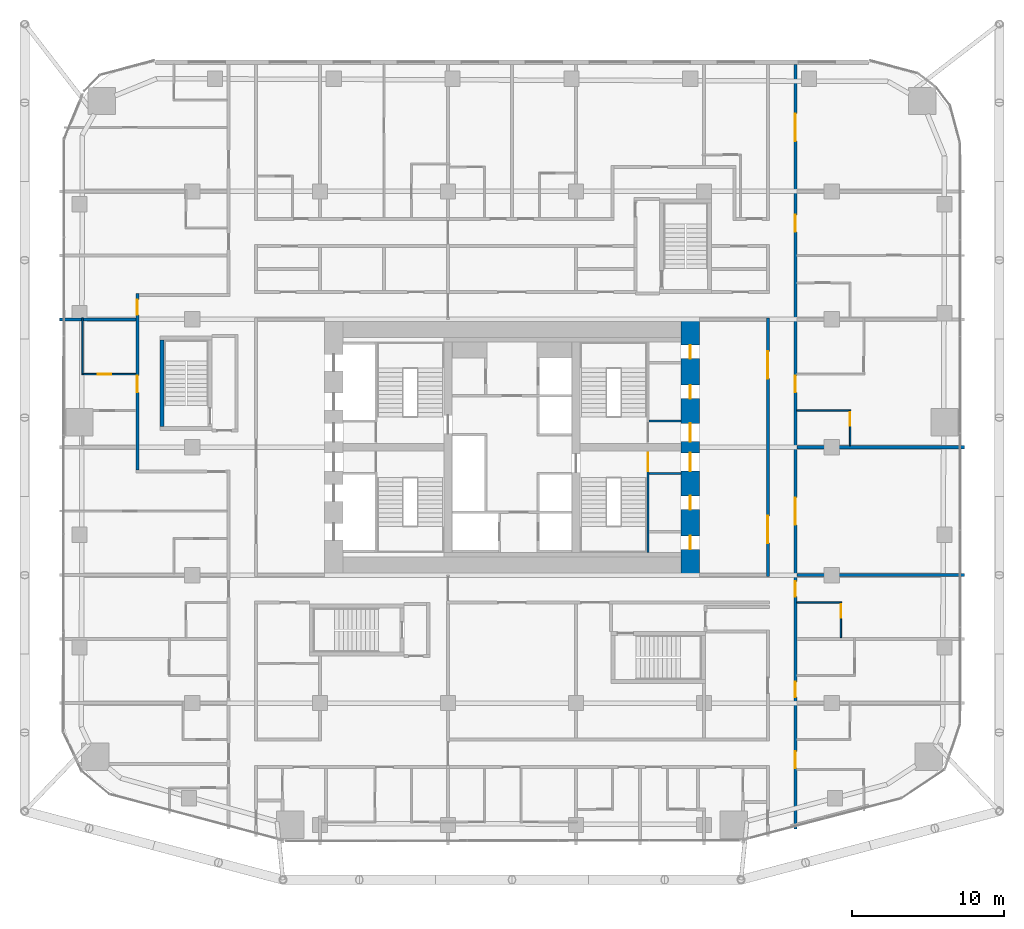
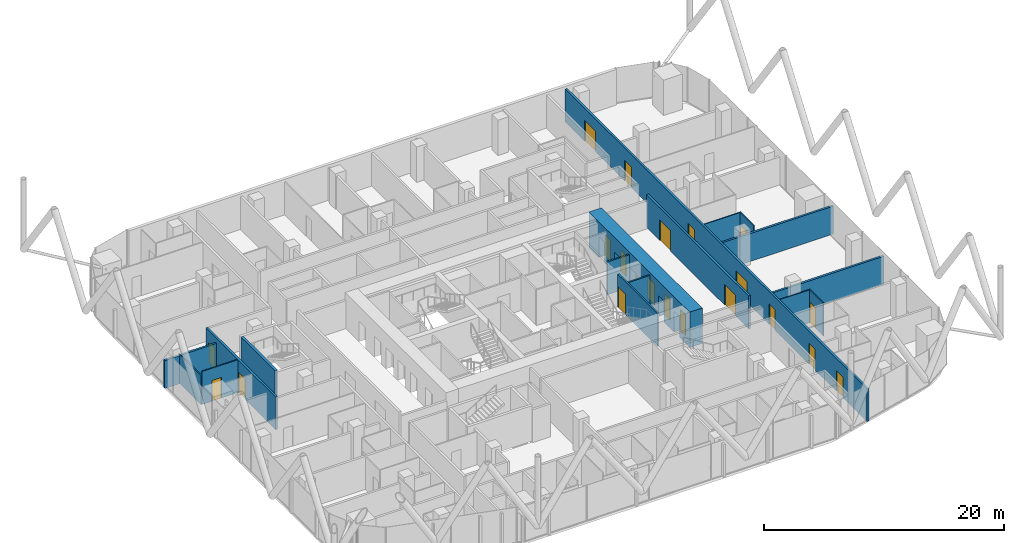
# One storey, part 28 of 34: 21 doors, 17 walls, 21 openings.
"""IFC4 building model written with IfcOpenShell, lengths in metres."""

from ifc_helpers import new_model, si_unit, direction, frame, frame_2d, origin, place, context, subcontext, project, spatial, rectangle, extrude, material, layer, layer_set, type_object, element, fill, save


model = new_model("IFC4")

# Units and contexts
model_context = context("Model", 3, precision=1e-05, world=origin(), true_north=direction((0.0, 1.0)))
body_context = subcontext(model_context, "Body", "Model", "MODEL_VIEW")
ifc_project = project(units=[si_unit("LENGTHUNIT", "METRE"), si_unit("AREAUNIT", "SQUARE_METRE"), si_unit("VOLUMEUNIT", "CUBIC_METRE"), si_unit("PLANEANGLEUNIT", "RADIAN"), si_unit("MASSUNIT", "GRAM", prefix="KILO")], contexts=[model_context])

# Site, building, storey
site_placement = place(None, origin())
site = spatial("IfcSite", under=ifc_project, at=site_placement, CompositionType="ELEMENT")
building_placement = place(site_placement, origin())
building = spatial("IfcBuilding", under=site, at=building_placement, Name="Marenta Gate Hotel Tower", CompositionType="ELEMENT")
storey_placement = place(building_placement, frame((0.0, 0.0, 76.10009765625)))
storey = spatial("IfcBuildingStorey", under=building, at=storey_placement, Name="L17", CompositionType="ELEMENT", Elevation=76.10009765625)

# Wall, openings, doors
ifc_material_1 = material(Name="Concrete blockwork", Category="masonry")
ifc_layer_1 = layer(ifc_material_1, 0.199951171875)
ifc_layer_set_1 = layer_set([ifc_layer_1], Name="Concrete blockwork")
wall_type_1 = type_object("IfcWallType", Name="Core boundary wall 200 REI 180", PredefinedType="PARTITIONING", material=ifc_layer_set_1)
wall_1_placement = place(storey_placement, frame((16.800048828125, -0.10009765625, 0.0), z_axis=(0.0, 0.0, 1.0), x_axis=(0.0, 1.0, 0.0)))
wall_1 = element("IfcWall", 1, at=wall_1_placement, inside=storey, type_object=wall_type_1, Name="L17-CP-BW-E", PredefinedType="PARTITIONING", context=body_context, shape_type="SweptSolid", body=[
    extrude(rectangle(XDim=17.0, YDim=0.199951171875, at=frame_2d((8.5, 0.0))), origin(), (0.0, 0.0, 1.0), 3.33984375),
])
opening_1_placement = place(wall_1_placement, frame((2.199951171875, 0.0, 0.0)))
opening_1 = element("IfcOpeningElement", 2, at=opening_1_placement, cuts=wall_1, Name="Opening ED-Ea-B", PredefinedType="OPENING", context=body_context, shape_type="SweptSolid", body=[
    extrude(rectangle(XDim=1.800048828125, YDim=2.10009765625, at=frame_2d((0.89990234375, 1.050048828125))), frame((0.0, 0.10009765625, 0.0), z_axis=(0.0, -1.0, 0.0), x_axis=(1.0, 0.0, 0.0)), (0.0, 0.0, 1.0), 0.199951171875),
])
opening_2_placement = place(wall_1_placement, frame((13.0, 0.0, 0.0)))
opening_2 = element("IfcOpeningElement", 3, at=opening_2_placement, cuts=wall_1, Name="Opening ED-Eb-B", PredefinedType="OPENING", context=body_context, shape_type="SweptSolid", body=[
    extrude(rectangle(XDim=1.800048828125, YDim=2.10009765625, at=frame_2d((0.89990234375, 1.050048828125))), frame((0.0, 0.10009765625, 0.0), z_axis=(0.0, -1.0, 0.0), x_axis=(1.0, 0.0, 0.0)), (0.0, 0.0, 1.0), 0.199951171875),
])
ifc_material_2 = material(Name="Steel", Category="steel")
door_type_1 = type_object("IfcDoorType", Name="Core lobby entrance door 1800x2100 EI 60", OperationType="DOUBLE_DOOR_SINGLE_SWING", PredefinedType="DOOR", material=ifc_material_2)
door_1_placement = place(opening_1_placement, origin())
door_1 = element("IfcDoor", 4, at=door_1_placement, inside=storey, type_object=door_type_1, Name="ED-Ea-B", OperationType="DOUBLE_DOOR_SINGLE_SWING", OverallHeight=2.10009765625, OverallWidth=1.800048828125, PredefinedType="DOOR", context=body_context, shape_type="SweptSolid", body=[
    extrude(rectangle(XDim=1.800048828125, YDim=2.10009765625, at=frame_2d((0.89990234375, 1.050048828125))), frame((0.0, 0.02490234375, 0.0), z_axis=(0.0, -1.0, 0.0), x_axis=(1.0, 0.0, 0.0)), (0.0, 0.0, 1.0), 0.050048828125),
])
fill(opening_1, door_1)
door_2_placement = place(opening_2_placement, origin())
door_2 = element("IfcDoor", 5, at=door_2_placement, inside=storey, type_object=door_type_1, Name="ED-Eb-B", OperationType="DOUBLE_DOOR_SINGLE_SWING", OverallHeight=2.10009765625, OverallWidth=1.800048828125, PredefinedType="DOOR", context=body_context, shape_type="SweptSolid", body=[
    extrude(rectangle(XDim=1.800048828125, YDim=2.10009765625, at=frame_2d((0.89990234375, 1.050048828125))), frame((0.0, 0.02490234375, 0.0), z_axis=(0.0, -1.0, 0.0), x_axis=(1.0, 0.0, 0.0)), (0.0, 0.0, 1.0), 0.050048828125),
])
fill(opening_2, door_2)

# Walls
ifc_material_3 = material(Name="Concrete blockwork", Category="masonry")
ifc_layer_2 = layer(ifc_material_3, 0.14990234375)
ifc_layer_set_2 = layer_set([ifc_layer_2], Name="Concrete blockwork")
wall_type_2 = type_object("IfcWallType", Name="Core room partition 150 REI 180", PredefinedType="PARTITIONING", material=ifc_layer_set_2)
for number, where, z_axis, x_axis, name in (
    (6, (9.0, 6.675048828125, 0.0), (0.0, 0.0, 1.0), (1.0, 0.0, 0.0), "L17-CP-SW-ES-2"),
    (7, (9.0, 10.125, 0.0), (0.0, 0.0, 1.0), (1.0, 0.0, 0.0), "L17-CP-SW-EN-2"),
):
    element("IfcWall", number, at=place(storey_placement, frame(where, z_axis=z_axis, x_axis=x_axis)), inside=storey, type_object=wall_type_2, Name=name, PredefinedType="PARTITIONING", context=body_context, shape_type="SweptSolid", body=[
        extrude(rectangle(XDim=2.10009765625, YDim=0.14990234375, at=frame_2d((1.050048828125, 0.0))), origin(), (0.0, 0.0, 1.0), 3.33984375),
    ])

# Wall, opening, door
ifc_material_4 = material(Name="Concrete C40", Category="concrete")
ifc_layer_3 = layer(ifc_material_4, 0.14990234375)
ifc_layer_set_3 = layer_set([ifc_layer_3], Name="Concrete C40")
wall_type_3 = type_object("IfcWallType", Name="Core stair enclosure wall 150 REI 180", PredefinedType="SHEAR", material=ifc_layer_set_3)
wall_2_placement = place(storey_placement, frame((8.925048828125, 1.5, 0.0), z_axis=(0.0, 0.0, 1.0), x_axis=(0.0, 1.0, 0.0)))
wall_2 = element("IfcWall", 8, at=wall_2_placement, inside=storey, type_object=wall_type_3, Name="L17-SHF-SW-ES-3", PredefinedType="SHEAR", context=body_context, shape_type="SweptSolid", body=[
    extrude(rectangle(XDim=6.60009765625, YDim=0.14990234375, at=frame_2d((3.300048828125, 0.0))), origin(), (0.0, 0.0, 1.0), 3.33984375),
])
opening_3_placement = place(wall_2_placement, frame((5.324951171875, 0.0, 0.0)))
opening_3 = element("IfcOpeningElement", 9, at=opening_3_placement, cuts=wall_2, Name="Opening SD-ES", PredefinedType="OPENING", context=body_context, shape_type="SweptSolid", body=[
    extrude(rectangle(XDim=1.199951171875, YDim=2.10009765625, at=frame_2d((0.60009765625, 1.050048828125))), frame((0.0, 0.074951171875, 0.0), z_axis=(0.0, -1.0, 0.0), x_axis=(1.0, 0.0, 0.0)), (0.0, 0.0, 1.0), 0.14990234375),
])
ifc_material_5 = material(Name="Steel", Category="steel")
door_type_2 = type_object("IfcDoorType", Name="Core stair door 1200x2100 FD60", OperationType="SINGLE_SWING_LEFT", PredefinedType="DOOR", material=ifc_material_5)
door_3_placement = place(opening_3_placement, origin())
door_3 = element("IfcDoor", 10, at=door_3_placement, inside=storey, type_object=door_type_2, Name="SD-ES", OperationType="SINGLE_SWING_LEFT", OverallHeight=2.10009765625, OverallWidth=1.199951171875, PredefinedType="DOOR", context=body_context, shape_type="SweptSolid", body=[
    extrude(rectangle(XDim=1.199951171875, YDim=2.10009765625, at=frame_2d((0.60009765625, 1.050048828125))), frame((0.0, 0.02490234375, 0.0), z_axis=(0.0, -1.0, 0.0), x_axis=(1.0, 0.0, 0.0)), (0.0, 0.0, 1.0), 0.050048828125),
])
fill(opening_3, door_3)

# Wall, openings, doors
ifc_material_6 = material(Name="Concrete C80", Category="concrete")
ifc_layer_4 = layer(ifc_material_6, 1.199951171875)
ifc_layer_set_4 = layer_set([ifc_layer_4], Name="Concrete C80")
wall_type_4 = type_object("IfcWallType", Name="Core wall 1200 C80", PredefinedType="SHEAR", material=ifc_layer_set_4)
wall_3_placement = place(storey_placement, frame((11.699951171875, 0.0, 0.0), z_axis=(0.0, 0.0, 1.0), x_axis=(0.0, 1.0, 0.0)))
wall_3 = element("IfcWall", 11, at=wall_3_placement, inside=storey, type_object=wall_type_4, Name="L17-CORE-E", PredefinedType="SHEAR", context=body_context, shape_type="SweptSolid", body=[
    extrude(rectangle(XDim=16.800048828125, YDim=1.199951171875, at=frame_2d((8.39990234375, 0.0))), origin(), (0.0, 0.0, 1.0), 3.599853515625),
])
opening_4_placement = place(wall_3_placement, frame((1.6875, 0.0, 0.0)))
opening_4 = element("IfcOpeningElement", 12, at=opening_4_placement, cuts=wall_3, Name="Opening RD-ES-1", PredefinedType="OPENING", context=body_context, shape_type="SweptSolid", body=[
    extrude(rectangle(XDim=0.89990234375, YDim=2.10009765625, at=frame_2d((0.449951171875, 1.050048828125))), frame((0.0, 0.60009765625, 0.0), z_axis=(0.0, -1.0, 0.0), x_axis=(1.0, 0.0, 0.0)), (0.0, 0.0, 1.0), 1.199951171875),
])
opening_5_placement = place(wall_3_placement, frame((4.3125, 0.0, 0.0)))
opening_5 = element("IfcOpeningElement", 13, at=opening_5_placement, cuts=wall_3, Name="Opening RD-ES-2", PredefinedType="OPENING", context=body_context, shape_type="SweptSolid", body=[
    extrude(rectangle(XDim=0.89990234375, YDim=2.10009765625, at=frame_2d((0.449951171875, 1.050048828125))), frame((0.0, 0.60009765625, 0.0), z_axis=(0.0, -1.0, 0.0), x_axis=(1.0, 0.0, 0.0)), (0.0, 0.0, 1.0), 1.199951171875),
])
opening_6_placement = place(wall_3_placement, frame((6.824951171875, 0.0, 0.0)))
opening_6 = element("IfcOpeningElement", 14, at=opening_6_placement, cuts=wall_3, Name="Opening PD-ES", PredefinedType="OPENING", context=body_context, shape_type="SweptSolid", body=[
    extrude(rectangle(XDim=1.199951171875, YDim=2.10009765625, at=frame_2d((0.60009765625, 1.050048828125))), frame((0.0, 0.60009765625, 0.0), z_axis=(0.0, -1.0, 0.0), x_axis=(1.0, 0.0, 0.0)), (0.0, 0.0, 1.0), 1.199951171875),
])
opening_7_placement = place(wall_3_placement, frame((14.21240234375, 0.0, 0.0)))
opening_7 = element("IfcOpeningElement", 15, at=opening_7_placement, cuts=wall_3, Name="Opening RD-EN-1", PredefinedType="OPENING", context=body_context, shape_type="SweptSolid", body=[
    extrude(rectangle(XDim=0.89990234375, YDim=2.10009765625, at=frame_2d((0.449951171875, 1.050048828125))), frame((0.0, 0.60009765625, 0.0), z_axis=(0.0, -1.0, 0.0), x_axis=(1.0, 0.0, 0.0)), (0.0, 0.0, 1.0), 1.199951171875),
])
opening_8_placement = place(wall_3_placement, frame((11.58740234375, 0.0, 0.0)))
opening_8 = element("IfcOpeningElement", 16, at=opening_8_placement, cuts=wall_3, Name="Opening RD-EN-2", PredefinedType="OPENING", context=body_context, shape_type="SweptSolid", body=[
    extrude(rectangle(XDim=0.89990234375, YDim=2.10009765625, at=frame_2d((0.449951171875, 1.050048828125))), frame((0.0, 0.60009765625, 0.0), z_axis=(0.0, -1.0, 0.0), x_axis=(1.0, 0.0, 0.0)), (0.0, 0.0, 1.0), 1.199951171875),
])
opening_9_placement = place(wall_3_placement, frame((8.77490234375, 0.0, 0.0)))
opening_9 = element("IfcOpeningElement", 17, at=opening_9_placement, cuts=wall_3, Name="Opening PD-EN", PredefinedType="OPENING", context=body_context, shape_type="SweptSolid", body=[
    extrude(rectangle(XDim=1.199951171875, YDim=2.10009765625, at=frame_2d((0.60009765625, 1.050048828125))), frame((0.0, 0.60009765625, 0.0), z_axis=(0.0, -1.0, 0.0), x_axis=(1.0, 0.0, 0.0)), (0.0, 0.0, 1.0), 1.199951171875),
])
ifc_material_7 = material(Name="Steel", Category="steel")
door_type_3 = type_object("IfcDoorType", Name="Core lobby door 1200x2100 FD60", OperationType="SINGLE_SWING_LEFT", PredefinedType="DOOR", material=ifc_material_7)
door_4_placement = place(opening_6_placement, origin())
door_4 = element("IfcDoor", 18, at=door_4_placement, inside=storey, type_object=door_type_3, Name="PD-ES", OperationType="SINGLE_SWING_LEFT", OverallHeight=2.10009765625, OverallWidth=1.199951171875, PredefinedType="DOOR", context=body_context, shape_type="SweptSolid", body=[
    extrude(rectangle(XDim=1.199951171875, YDim=2.10009765625, at=frame_2d((0.60009765625, 1.050048828125))), frame((0.0, 0.02490234375, 0.0), z_axis=(0.0, -1.0, 0.0), x_axis=(1.0, 0.0, 0.0)), (0.0, 0.0, 1.0), 0.050048828125),
])
fill(opening_6, door_4)
door_5_placement = place(opening_9_placement, origin())
door_5 = element("IfcDoor", 19, at=door_5_placement, inside=storey, type_object=door_type_3, Name="PD-EN", OperationType="SINGLE_SWING_LEFT", OverallHeight=2.10009765625, OverallWidth=1.199951171875, PredefinedType="DOOR", context=body_context, shape_type="SweptSolid", body=[
    extrude(rectangle(XDim=1.199951171875, YDim=2.10009765625, at=frame_2d((0.60009765625, 1.050048828125))), frame((0.0, 0.02490234375, 0.0), z_axis=(0.0, -1.0, 0.0), x_axis=(1.0, 0.0, 0.0)), (0.0, 0.0, 1.0), 0.050048828125),
])
fill(opening_9, door_5)
ifc_material_8 = material(Name="Steel", Category="steel")
door_type_4 = type_object("IfcDoorType", Name="Core service room door 900x2100 FD30S", OperationType="SINGLE_SWING_LEFT", PredefinedType="DOOR", material=ifc_material_8)
door_6_placement = place(opening_4_placement, origin())
door_6 = element("IfcDoor", 20, at=door_6_placement, inside=storey, type_object=door_type_4, Name="RD-ES-1", OperationType="SINGLE_SWING_LEFT", OverallHeight=2.10009765625, OverallWidth=0.89990234375, PredefinedType="DOOR", context=body_context, shape_type="SweptSolid", body=[
    extrude(rectangle(XDim=0.89990234375, YDim=2.10009765625, at=frame_2d((0.449951171875, 1.050048828125))), frame((0.0, 0.02490234375, 0.0), z_axis=(0.0, -1.0, 0.0), x_axis=(1.0, 0.0, 0.0)), (0.0, 0.0, 1.0), 0.050048828125),
])
fill(opening_4, door_6)
door_7_placement = place(opening_5_placement, origin())
door_7 = element("IfcDoor", 21, at=door_7_placement, inside=storey, type_object=door_type_4, Name="RD-ES-2", OperationType="SINGLE_SWING_LEFT", OverallHeight=2.10009765625, OverallWidth=0.89990234375, PredefinedType="DOOR", context=body_context, shape_type="SweptSolid", body=[
    extrude(rectangle(XDim=0.89990234375, YDim=2.10009765625, at=frame_2d((0.449951171875, 1.050048828125))), frame((0.0, 0.02490234375, 0.0), z_axis=(0.0, -1.0, 0.0), x_axis=(1.0, 0.0, 0.0)), (0.0, 0.0, 1.0), 0.050048828125),
])
fill(opening_5, door_7)
door_8_placement = place(opening_7_placement, origin())
door_8 = element("IfcDoor", 22, at=door_8_placement, inside=storey, type_object=door_type_4, Name="RD-EN-1", OperationType="SINGLE_SWING_LEFT", OverallHeight=2.10009765625, OverallWidth=0.89990234375, PredefinedType="DOOR", context=body_context, shape_type="SweptSolid", body=[
    extrude(rectangle(XDim=0.89990234375, YDim=2.10009765625, at=frame_2d((0.449951171875, 1.050048828125))), frame((0.0, 0.02490234375, 0.0), z_axis=(0.0, -1.0, 0.0), x_axis=(1.0, 0.0, 0.0)), (0.0, 0.0, 1.0), 0.050048828125),
])
fill(opening_7, door_8)
door_9_placement = place(opening_8_placement, origin())
door_9 = element("IfcDoor", 23, at=door_9_placement, inside=storey, type_object=door_type_4, Name="RD-EN-2", OperationType="SINGLE_SWING_LEFT", OverallHeight=2.10009765625, OverallWidth=0.89990234375, PredefinedType="DOOR", context=body_context, shape_type="SweptSolid", body=[
    extrude(rectangle(XDim=0.89990234375, YDim=2.10009765625, at=frame_2d((0.449951171875, 1.050048828125))), frame((0.0, 0.02490234375, 0.0), z_axis=(0.0, -1.0, 0.0), x_axis=(1.0, 0.0, 0.0)), (0.0, 0.0, 1.0), 0.050048828125),
])
fill(opening_8, door_9)

# Wall
ifc_material_9 = material(Name="Concrete C40", Category="concrete")
ifc_layer_5 = layer(ifc_material_9, 0.25)
ifc_layer_set_5 = layer_set([ifc_layer_5], Name="Concrete C40")
wall_type_5 = type_object("IfcWallType", Name="Remote stair enclosure wall 250 REI 180", PredefinedType="SHEAR", material=ifc_layer_set_5)
wall_4_placement = place(storey_placement, frame((-22.97509765625, 9.75, 0.099853515625), z_axis=(0.0, 0.0, 1.0), x_axis=(0.0, 1.0, 0.0)))
element("IfcWall", 24, at=wall_4_placement, inside=storey, type_object=wall_type_5, Name="L17-RS-Z1-3-W3", PredefinedType="SHEAR", context=body_context, shape_type="SweptSolid", body=[
    extrude(rectangle(XDim=5.699951171875, YDim=0.25, at=frame_2d((2.85009765625, 0.0))), origin(), (0.0, 0.0, 1.0), 3.60009765625),
])

# Wall, openings, doors
ifc_material_10 = material(Name="Gypsum board on steel stud", Category="steel")
ifc_layer_6 = layer(ifc_material_10, 0.199951171875)
ifc_layer_set_6 = layer_set([ifc_layer_6], Name="Gypsum board on steel stud")
wall_type_6 = type_object("IfcWallType", Name="Room corridor wall 200 EI 60", PredefinedType="PARTITIONING", material=ifc_layer_set_6)
wall_5_placement = place(storey_placement, frame((18.60009765625, -16.6650390625, 0.0), z_axis=(0.0, 0.0, 1.0), x_axis=(0.0, 1.0, 0.0)))
wall_5 = element("IfcWall", 25, at=wall_5_placement, inside=storey, type_object=wall_type_6, Name="L17-PTN-W009", PredefinedType="PARTITIONING", context=body_context, shape_type="SweptSolid", body=[
    extrude(rectangle(XDim=50.205078125, YDim=0.199951171875, at=frame_2d((25.1025390625, 0.0))), origin(), (0.0, 0.0, 1.0), 3.33984375),
])
opening_10_placement = place(wall_5_placement, frame((4.0, 0.0, 0.0)))
opening_10 = element("IfcOpeningElement", 26, at=opening_10_placement, cuts=wall_5, Name="Opening G06-06", PredefinedType="OPENING", context=body_context, shape_type="SweptSolid", body=[
    extrude(rectangle(XDim=1.10009765625, YDim=2.10009765625, at=frame_2d((0.550048828125, 1.050048828125))), frame((0.0, 0.10009765625, 0.0), z_axis=(0.0, -1.0, 0.0), x_axis=(1.0, 0.0, 0.0)), (0.0, 0.0, 1.0), 0.199951171875),
])
opening_11_placement = place(wall_5_placement, frame((8.6650390625, 0.0, 0.0)))
opening_11 = element("IfcOpeningElement", 27, at=opening_11_placement, cuts=wall_5, Name="Opening G06-09", PredefinedType="OPENING", context=body_context, shape_type="SweptSolid", body=[
    extrude(rectangle(XDim=1.0, YDim=2.10009765625, at=frame_2d((0.5, 1.050048828125))), frame((0.0, 0.10009765625, 0.0), z_axis=(0.0, -1.0, 0.0), x_axis=(1.0, 0.0, 0.0)), (0.0, 0.0, 1.0), 0.199951171875),
])
opening_12_placement = place(wall_5_placement, frame((15.264892578125, 0.0, 0.0)))
opening_12 = element("IfcOpeningElement", 28, at=opening_12_placement, cuts=wall_5, Name="Opening G06-11", PredefinedType="OPENING", context=body_context, shape_type="SweptSolid", body=[
    extrude(rectangle(XDim=1.0, YDim=2.10009765625, at=frame_2d((0.5, 1.050048828125))), frame((0.0, 0.10009765625, 0.0), z_axis=(0.0, -1.0, 0.0), x_axis=(1.0, 0.0, 0.0)), (0.0, 0.0, 1.0), 0.199951171875),
])
opening_13_placement = place(wall_5_placement, frame((19.965087890625, 0.0, 0.0)))
opening_13 = element("IfcOpeningElement", 29, at=opening_13_placement, cuts=wall_5, Name="Opening G06-13", PredefinedType="OPENING", context=body_context, shape_type="SweptSolid", body=[
    extrude(rectangle(XDim=1.800048828125, YDim=2.10009765625, at=frame_2d((0.89990234375, 1.050048828125))), frame((0.0, 0.10009765625, 0.0), z_axis=(0.0, -1.0, 0.0), x_axis=(1.0, 0.0, 0.0)), (0.0, 0.0, 1.0), 0.199951171875),
])
opening_14_placement = place(wall_5_placement, frame((28.6650390625, 0.0, 0.0)))
opening_14 = element("IfcOpeningElement", 30, at=opening_14_placement, cuts=wall_5, Name="Opening G06-14", PredefinedType="OPENING", context=body_context, shape_type="SweptSolid", body=[
    extrude(rectangle(XDim=1.10009765625, YDim=2.10009765625, at=frame_2d((0.550048828125, 1.050048828125))), frame((0.0, 0.10009765625, 0.0), z_axis=(0.0, -1.0, 0.0), x_axis=(1.0, 0.0, 0.0)), (0.0, 0.0, 1.0), 0.199951171875),
])
opening_15_placement = place(wall_5_placement, frame((39.215087890625, 0.0, 0.0)))
opening_15 = element("IfcOpeningElement", 31, at=opening_15_placement, cuts=wall_5, Name="Opening G06-17", PredefinedType="OPENING", context=body_context, shape_type="SweptSolid", body=[
    extrude(rectangle(XDim=1.10009765625, YDim=2.10009765625, at=frame_2d((0.550048828125, 1.050048828125))), frame((0.0, 0.10009765625, 0.0), z_axis=(0.0, -1.0, 0.0), x_axis=(1.0, 0.0, 0.0)), (0.0, 0.0, 1.0), 0.199951171875),
])
opening_16_placement = place(wall_5_placement, frame((45.1650390625, 0.0, 0.0)))
opening_16 = element("IfcOpeningElement", 32, at=opening_16_placement, cuts=wall_5, Name="Opening G06-20", PredefinedType="OPENING", context=body_context, shape_type="SweptSolid", body=[
    extrude(rectangle(XDim=1.800048828125, YDim=2.10009765625, at=frame_2d((0.89990234375, 1.050048828125))), frame((0.0, 0.10009765625, 0.0), z_axis=(0.0, -1.0, 0.0), x_axis=(1.0, 0.0, 0.0)), (0.0, 0.0, 1.0), 0.199951171875),
])
ifc_material_11 = material(Name="Timber door leaf", Category="wood")
door_type_5 = type_object("IfcDoorType", Name="Guest room door 1000x2100 EI 30", OperationType="NOTDEFINED", PredefinedType="DOOR", material=ifc_material_11)
door_10_placement = place(opening_11_placement, origin())
door_10 = element("IfcDoor", 33, at=door_10_placement, inside=storey, type_object=door_type_5, Name="L17-PD-D009", OperationType="SINGLE_SWING_LEFT", OverallHeight=2.10009765625, OverallWidth=1.0, PredefinedType="DOOR", context=body_context, shape_type="SweptSolid", body=[
    extrude(rectangle(XDim=1.0, YDim=2.10009765625, at=frame_2d((0.5, 1.050048828125))), frame((0.0, 0.02490234375, 0.0), z_axis=(0.0, -1.0, 0.0), x_axis=(1.0, 0.0, 0.0)), (0.0, 0.0, 1.0), 0.050048828125),
])
fill(opening_11, door_10)
door_11_placement = place(opening_12_placement, origin())
door_11 = element("IfcDoor", 34, at=door_11_placement, inside=storey, type_object=door_type_5, Name="L17-PD-D011", OperationType="SINGLE_SWING_LEFT", OverallHeight=2.10009765625, OverallWidth=1.0, PredefinedType="DOOR", context=body_context, shape_type="SweptSolid", body=[
    extrude(rectangle(XDim=1.0, YDim=2.10009765625, at=frame_2d((0.5, 1.050048828125))), frame((0.0, 0.02490234375, 0.0), z_axis=(0.0, -1.0, 0.0), x_axis=(1.0, 0.0, 0.0)), (0.0, 0.0, 1.0), 0.050048828125),
])
fill(opening_12, door_11)
ifc_material_12 = material(Name="Timber door leaf", Category="wood")
door_type_6 = type_object("IfcDoorType", Name="Guest room door 1100x2100 EI 30", OperationType="NOTDEFINED", PredefinedType="DOOR", material=ifc_material_12)
door_12_placement = place(opening_10_placement, origin())
door_12 = element("IfcDoor", 35, at=door_12_placement, inside=storey, type_object=door_type_6, Name="L17-PD-D006", OperationType="SINGLE_SWING_RIGHT", OverallHeight=2.10009765625, OverallWidth=1.10009765625, PredefinedType="DOOR", context=body_context, shape_type="SweptSolid", body=[
    extrude(rectangle(XDim=1.10009765625, YDim=2.10009765625, at=frame_2d((0.550048828125, 1.050048828125))), frame((0.0, 0.02490234375, 0.0), z_axis=(0.0, -1.0, 0.0), x_axis=(1.0, 0.0, 0.0)), (0.0, 0.0, 1.0), 0.050048828125),
])
fill(opening_10, door_12)
door_13_placement = place(opening_14_placement, origin())
door_13 = element("IfcDoor", 36, at=door_13_placement, inside=storey, type_object=door_type_6, Name="L17-PD-D014", OperationType="SINGLE_SWING_LEFT", OverallHeight=2.10009765625, OverallWidth=1.10009765625, PredefinedType="DOOR", context=body_context, shape_type="SweptSolid", body=[
    extrude(rectangle(XDim=1.10009765625, YDim=2.10009765625, at=frame_2d((0.550048828125, 1.050048828125))), frame((0.0, 0.02490234375, 0.0), z_axis=(0.0, -1.0, 0.0), x_axis=(1.0, 0.0, 0.0)), (0.0, 0.0, 1.0), 0.050048828125),
])
fill(opening_14, door_13)
door_14_placement = place(opening_15_placement, origin())
door_14 = element("IfcDoor", 37, at=door_14_placement, inside=storey, type_object=door_type_6, Name="L17-PD-D017", OperationType="SINGLE_SWING_LEFT", OverallHeight=2.10009765625, OverallWidth=1.10009765625, PredefinedType="DOOR", context=body_context, shape_type="SweptSolid", body=[
    extrude(rectangle(XDim=1.10009765625, YDim=2.10009765625, at=frame_2d((0.550048828125, 1.050048828125))), frame((0.0, 0.02490234375, 0.0), z_axis=(0.0, -1.0, 0.0), x_axis=(1.0, 0.0, 0.0)), (0.0, 0.0, 1.0), 0.050048828125),
])
fill(opening_15, door_14)
ifc_material_13 = material(Name="Timber door leaf", Category="wood")
door_type_7 = type_object("IfcDoorType", Name="Room amenity door 1800x2100 EI 30", OperationType="DOUBLE_DOOR_SINGLE_SWING", PredefinedType="DOOR", material=ifc_material_13)
door_15_placement = place(opening_13_placement, origin())
door_15 = element("IfcDoor", 38, at=door_15_placement, inside=storey, type_object=door_type_7, Name="L17-PD-D013", OperationType="DOUBLE_DOOR_SINGLE_SWING", OverallHeight=2.10009765625, OverallWidth=1.800048828125, PredefinedType="DOOR", context=body_context, shape_type="SweptSolid", body=[
    extrude(rectangle(XDim=1.800048828125, YDim=2.10009765625, at=frame_2d((0.89990234375, 1.050048828125))), frame((0.0, 0.02490234375, 0.0), z_axis=(0.0, -1.0, 0.0), x_axis=(1.0, 0.0, 0.0)), (0.0, 0.0, 1.0), 0.050048828125),
])
fill(opening_13, door_15)
door_16_placement = place(opening_16_placement, origin())
door_16 = element("IfcDoor", 39, at=door_16_placement, inside=storey, type_object=door_type_7, Name="L17-PD-D020", OperationType="DOUBLE_DOOR_SINGLE_SWING", OverallHeight=2.10009765625, OverallWidth=1.800048828125, PredefinedType="DOOR", context=body_context, shape_type="SweptSolid", body=[
    extrude(rectangle(XDim=1.800048828125, YDim=2.10009765625, at=frame_2d((0.89990234375, 1.050048828125))), frame((0.0, 0.02490234375, 0.0), z_axis=(0.0, -1.0, 0.0), x_axis=(1.0, 0.0, 0.0)), (0.0, 0.0, 1.0), 0.050048828125),
])
fill(opening_16, door_16)

wall_6_placement = place(storey_placement, frame((-24.60009765625, 6.89990234375, 0.0), z_axis=(0.0, 0.0, 1.0), x_axis=(0.0, 1.0, 0.0)))
wall_6 = element("IfcWall", 40, at=wall_6_placement, inside=storey, type_object=wall_type_6, Name="L17-PTN-W134", PredefinedType="PARTITIONING", context=body_context, shape_type="SweptSolid", body=[
    extrude(rectangle(XDim=11.60009765625, YDim=0.199951171875, at=frame_2d((5.800048828125, 0.0))), origin(), (0.0, 0.0, 1.0), 3.33984375),
])
opening_17_placement = place(wall_6_placement, frame((5.10009765625, 0.0, 0.0)))
opening_17 = element("IfcOpeningElement", 41, at=opening_17_placement, cuts=wall_6, Name="Opening G06-53", PredefinedType="OPENING", context=body_context, shape_type="SweptSolid", body=[
    extrude(rectangle(XDim=1.10009765625, YDim=2.10009765625, at=frame_2d((0.550048828125, 1.050048828125))), frame((0.0, 0.10009765625, 0.0), z_axis=(0.0, -1.0, 0.0), x_axis=(1.0, 0.0, 0.0)), (0.0, 0.0, 1.0), 0.199951171875),
])
opening_18_placement = place(wall_6_placement, frame((10.199951171875, 0.0, 0.0)))
opening_18 = element("IfcOpeningElement", 42, at=opening_18_placement, cuts=wall_6, Name="Opening G06-66", PredefinedType="OPENING", context=body_context, shape_type="SweptSolid", body=[
    extrude(rectangle(XDim=1.0, YDim=2.10009765625, at=frame_2d((0.5, 1.050048828125))), frame((0.0, 0.10009765625, 0.0), z_axis=(0.0, -1.0, 0.0), x_axis=(1.0, 0.0, 0.0)), (0.0, 0.0, 1.0), 0.199951171875),
])
door_17_placement = place(opening_17_placement, origin())
door_17 = element("IfcDoor", 43, at=door_17_placement, inside=storey, type_object=door_type_6, Name="L17-PD-D053", OperationType="SINGLE_SWING_RIGHT", OverallHeight=2.10009765625, OverallWidth=1.10009765625, PredefinedType="DOOR", context=body_context, shape_type="SweptSolid", body=[
    extrude(rectangle(XDim=1.10009765625, YDim=2.10009765625, at=frame_2d((0.550048828125, 1.050048828125))), frame((0.0, 0.02490234375, 0.0), z_axis=(0.0, -1.0, 0.0), x_axis=(1.0, 0.0, 0.0)), (0.0, 0.0, 1.0), 0.050048828125),
])
fill(opening_17, door_17)
ifc_material_14 = material(Name="Timber door leaf", Category="wood")
door_type_8 = type_object("IfcDoorType", Name="Room amenity door 1000x2100 EI 30", OperationType="NOTDEFINED", PredefinedType="DOOR", material=ifc_material_14)
door_18_placement = place(opening_18_placement, origin())
door_18 = element("IfcDoor", 44, at=door_18_placement, inside=storey, type_object=door_type_8, Name="L17-PD-D066", OperationType="SINGLE_SWING_RIGHT", OverallHeight=2.10009765625, OverallWidth=1.0, PredefinedType="DOOR", context=body_context, shape_type="SweptSolid", body=[
    extrude(rectangle(XDim=1.0, YDim=2.10009765625, at=frame_2d((0.5, 1.050048828125))), frame((0.0, 0.02490234375, 0.0), z_axis=(0.0, -1.0, 0.0), x_axis=(1.0, 0.0, 0.0)), (0.0, 0.0, 1.0), 0.050048828125),
])
fill(opening_18, door_18)

# Wall, opening, door
ifc_material_15 = material(Name="Gypsum board on steel stud", Category="steel")
ifc_layer_7 = layer(ifc_material_15, 0.10009765625)
ifc_layer_set_7 = layer_set([ifc_layer_7], Name="Gypsum board on steel stud")
wall_type_7 = type_object("IfcWallType", Name="Room partition 100", PredefinedType="PARTITIONING", material=ifc_layer_set_7)
wall_7_placement = place(storey_placement, frame((22.199951171875, 8.5, 0.0), z_axis=(0.0, 0.0, 1.0), x_axis=(0.0, 1.0, 0.0)))
wall_7 = element("IfcWall", 45, at=wall_7_placement, inside=storey, type_object=wall_type_7, Name="L17-PTN-W005", PredefinedType="PARTITIONING", context=body_context, shape_type="SweptSolid", body=[
    extrude(rectangle(XDim=2.35009765625, YDim=0.10009765625, at=frame_2d((1.175048828125, 0.0))), origin(), (0.0, 0.0, 1.0), 3.33984375),
])
opening_19_placement = place(wall_7_placement, frame((1.300048828125, 0.0, 0.0)))
opening_19 = element("IfcOpeningElement", 46, at=opening_19_placement, cuts=wall_7, Name="Opening G06-16", PredefinedType="OPENING", context=body_context, shape_type="SweptSolid", body=[
    extrude(rectangle(XDim=0.89990234375, YDim=2.10009765625, at=frame_2d((0.449951171875, 1.050048828125))), frame((0.0, 0.050048828125, 0.0), z_axis=(0.0, -1.0, 0.0), x_axis=(1.0, 0.0, 0.0)), (0.0, 0.0, 1.0), 0.10009765625),
])
ifc_material_16 = material(Name="Timber door leaf", Category="wood")
door_type_9 = type_object("IfcDoorType", Name="Room inner door 900x2100", OperationType="NOTDEFINED", PredefinedType="DOOR", material=ifc_material_16)
door_19_placement = place(opening_19_placement, origin())
door_19 = element("IfcDoor", 47, at=door_19_placement, inside=storey, type_object=door_type_9, Name="L17-PD-D016", OperationType="SINGLE_SWING_RIGHT", OverallHeight=2.10009765625, OverallWidth=0.89990234375, PredefinedType="DOOR", context=body_context, shape_type="SweptSolid", body=[
    extrude(rectangle(XDim=0.89990234375, YDim=2.10009765625, at=frame_2d((0.449951171875, 1.050048828125))), frame((0.0, 0.02490234375, 0.0), z_axis=(0.0, -1.0, 0.0), x_axis=(1.0, 0.0, 0.0)), (0.0, 0.0, 1.0), 0.050048828125),
])
fill(opening_19, door_19)

wall_8_placement = place(storey_placement, frame((21.60009765625, -4.10009765625, 0.0), z_axis=(0.0, 0.0, 1.0), x_axis=(0.0, 1.0, 0.0)))
wall_8 = element("IfcWall", 48, at=wall_8_placement, inside=storey, type_object=wall_type_7, Name="L17-PTN-W007", PredefinedType="PARTITIONING", context=body_context, shape_type="SweptSolid", body=[
    extrude(rectangle(XDim=2.35009765625, YDim=0.10009765625, at=frame_2d((1.175048828125, 0.0))), origin(), (0.0, 0.0, 1.0), 3.33984375),
])
opening_20_placement = place(wall_8_placement, frame((1.300048828125, 0.0, 0.0)))
opening_20 = element("IfcOpeningElement", 49, at=opening_20_placement, cuts=wall_8, Name="Opening G06-12", PredefinedType="OPENING", context=body_context, shape_type="SweptSolid", body=[
    extrude(rectangle(XDim=0.89990234375, YDim=2.10009765625, at=frame_2d((0.449951171875, 1.050048828125))), frame((0.0, 0.050048828125, 0.0), z_axis=(0.0, -1.0, 0.0), x_axis=(1.0, 0.0, 0.0)), (0.0, 0.0, 1.0), 0.10009765625),
])
ifc_material_17 = material(Name="Timber door leaf", Category="wood")
door_type_10 = type_object("IfcDoorType", Name="Guest bathroom door 900x2100", OperationType="NOTDEFINED", PredefinedType="DOOR", material=ifc_material_17)
door_20_placement = place(opening_20_placement, origin())
door_20 = element("IfcDoor", 50, at=door_20_placement, inside=storey, type_object=door_type_10, Name="L17-PD-D012", OperationType="SINGLE_SWING_RIGHT", OverallHeight=2.10009765625, OverallWidth=0.89990234375, PredefinedType="DOOR", context=body_context, shape_type="SweptSolid", body=[
    extrude(rectangle(XDim=0.89990234375, YDim=2.10009765625, at=frame_2d((0.449951171875, 1.050048828125))), frame((0.0, 0.02490234375, 0.0), z_axis=(0.0, -1.0, 0.0), x_axis=(1.0, 0.0, 0.0)), (0.0, 0.0, 1.0), 0.050048828125),
])
fill(opening_20, door_20)

# Walls
wall_9_placement = place(storey_placement, frame((18.699951171875, -1.800048828125, 0.0), z_axis=(0.0, 0.0, 1.0), x_axis=(1.0, 0.0, 0.0)))
element("IfcWall", 51, at=wall_9_placement, inside=storey, type_object=wall_type_7, Name="L17-PTN-W064", PredefinedType="PARTITIONING", context=body_context, shape_type="SweptSolid", body=[
    extrude(rectangle(XDim=2.85009765625, YDim=0.10009765625, at=frame_2d((1.425048828125, 0.0))), origin(), (0.0, 0.0, 1.0), 3.33984375),
])
wall_10_placement = place(storey_placement, frame((18.699951171875, 10.800048828125, 0.0), z_axis=(0.0, 0.0, 1.0), x_axis=(1.0, 0.0, 0.0)))
element("IfcWall", 52, at=wall_10_placement, inside=storey, type_object=wall_type_7, Name="L17-PTN-W091", PredefinedType="PARTITIONING", context=body_context, shape_type="SweptSolid", body=[
    extrude(rectangle(XDim=3.449951171875, YDim=0.10009765625, at=frame_2d((1.72509765625, 0.0))), origin(), (0.0, 0.0, 1.0), 3.33984375),
])

# Wall, opening, door
wall_11_placement = place(storey_placement, frame((-28.14990234375, 13.199951171875, 0.0), z_axis=(0.0, 0.0, 1.0), x_axis=(1.0, 0.0, 0.0)))
wall_11 = element("IfcWall", 53, at=wall_11_placement, inside=storey, type_object=wall_type_7, Name="L17-PTN-W097", PredefinedType="PARTITIONING", context=body_context, shape_type="SweptSolid", body=[
    extrude(rectangle(XDim=3.449951171875, YDim=0.10009765625, at=frame_2d((1.72509765625, 0.0))), origin(), (0.0, 0.0, 1.0), 3.33984375),
])
opening_21_placement = place(wall_11_placement, frame((0.93994140625, 0.0, 0.0)))
opening_21 = element("IfcOpeningElement", 54, at=opening_21_placement, cuts=wall_11, Name="Opening G06-54", PredefinedType="OPENING", context=body_context, shape_type="SweptSolid", body=[
    extrude(rectangle(XDim=0.89990234375, YDim=2.10009765625, at=frame_2d((0.449951171875, 1.050048828125))), frame((0.0, 0.050048828125, 0.0), z_axis=(0.0, -1.0, 0.0), x_axis=(1.0, 0.0, 0.0)), (0.0, 0.0, 1.0), 0.10009765625),
])
door_21_placement = place(opening_21_placement, origin())
door_21 = element("IfcDoor", 55, at=door_21_placement, inside=storey, type_object=door_type_10, Name="L17-PD-D054", OperationType="SINGLE_SWING_LEFT", OverallHeight=2.10009765625, OverallWidth=0.89990234375, PredefinedType="DOOR", context=body_context, shape_type="SweptSolid", body=[
    extrude(rectangle(XDim=0.89990234375, YDim=2.10009765625, at=frame_2d((0.449951171875, 1.050048828125))), frame((0.0, 0.02490234375, 0.0), z_axis=(0.0, -1.0, 0.0), x_axis=(1.0, 0.0, 0.0)), (0.0, 0.0, 1.0), 0.050048828125),
])
fill(opening_21, door_21)

# Walls
wall_12_placement = place(storey_placement, frame((-28.199951171875, 13.14990234375, 0.0), z_axis=(0.0, 0.0, 1.0), x_axis=(0.0, 1.0, 0.0)))
element("IfcWall", 56, at=wall_12_placement, inside=storey, type_object=wall_type_7, Name="L17-PTN-W145", PredefinedType="PARTITIONING", context=body_context, shape_type="SweptSolid", body=[
    extrude(rectangle(XDim=3.75, YDim=0.10009765625, at=frame_2d((1.875, 0.0))), origin(), (0.0, 0.0, 1.0), 2.93994140625),
])
ifc_material_18 = material(Name="Gypsum board on steel stud", Category="steel")
ifc_layer_8 = layer(ifc_material_18, 0.199951171875)
ifc_layer_set_8 = layer_set([ifc_layer_8], Name="Gypsum board on steel stud")
wall_type_8 = type_object("IfcWallType", Name="Room party wall 200 EI 60", PredefinedType="PARTITIONING", material=ifc_layer_set_8)
for number, where, z_axis, x_axis, name in (
    (57, (18.699951171875, 0.0, 0.0), (0.0, 0.0, 1.0), (1.0, 0.0, 0.0), "L17-PTN-W071"),
    (58, (18.699951171875, 8.39990234375, 0.0), (0.0, 0.0, 1.0), (1.0, 0.0, 0.0), "L17-PTN-W087"),
):
    element("IfcWall", number, at=place(storey_placement, frame(where, z_axis=z_axis, x_axis=x_axis)), inside=storey, type_object=wall_type_8, Name=name, PredefinedType="PARTITIONING", context=body_context, shape_type="SweptSolid", body=[
        extrude(rectangle(XDim=11.0, YDim=0.199951171875, at=frame_2d((5.5, 0.0))), origin(), (0.0, 0.0, 1.0), 2.83984375),
    ])
wall_13_placement = place(storey_placement, frame((-29.699951171875, 16.800048828125, 0.0), z_axis=(0.0, 0.0, 1.0), x_axis=(1.0, 0.0, 0.0)))
element("IfcWall", 59, at=wall_13_placement, inside=storey, type_object=wall_type_8, Name="L17-PTN-W107", PredefinedType="PARTITIONING", context=body_context, shape_type="SweptSolid", body=[
    extrude(rectangle(XDim=5.0, YDim=0.199951171875, at=frame_2d((2.5, 0.0))), origin(), (0.0, 0.0, 1.0), 2.83984375),
])

save(model, "model.ifc")
